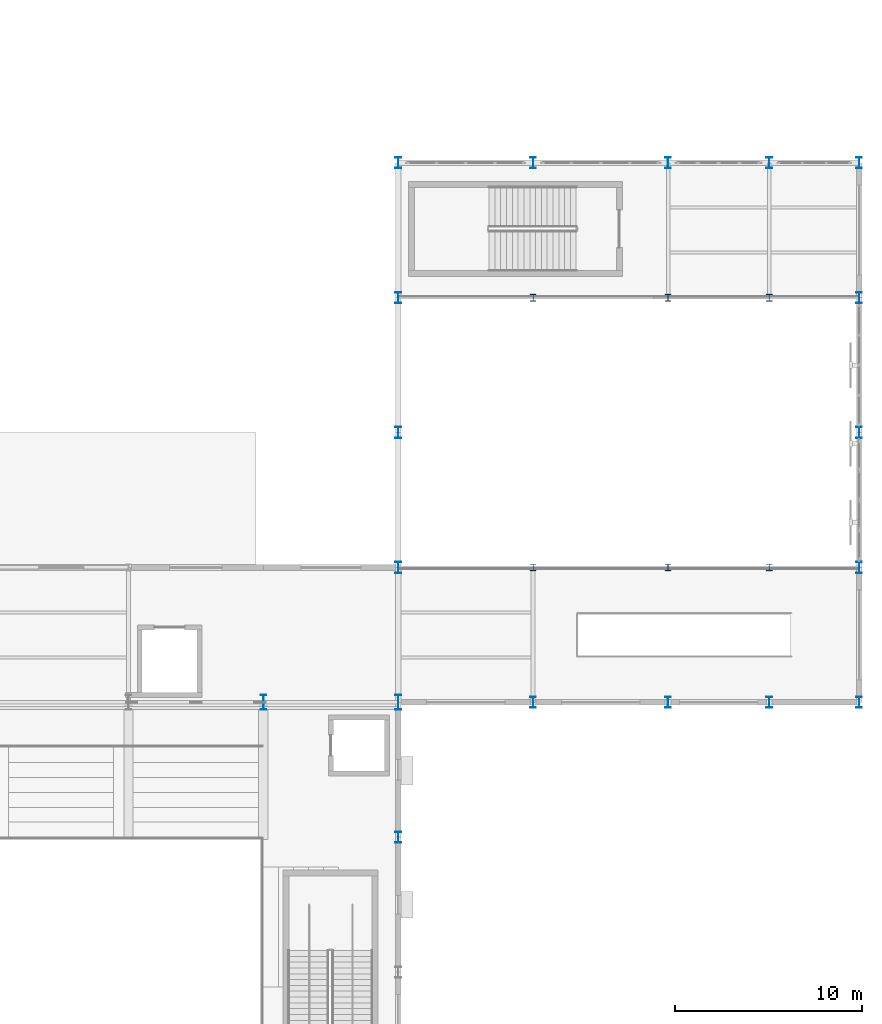
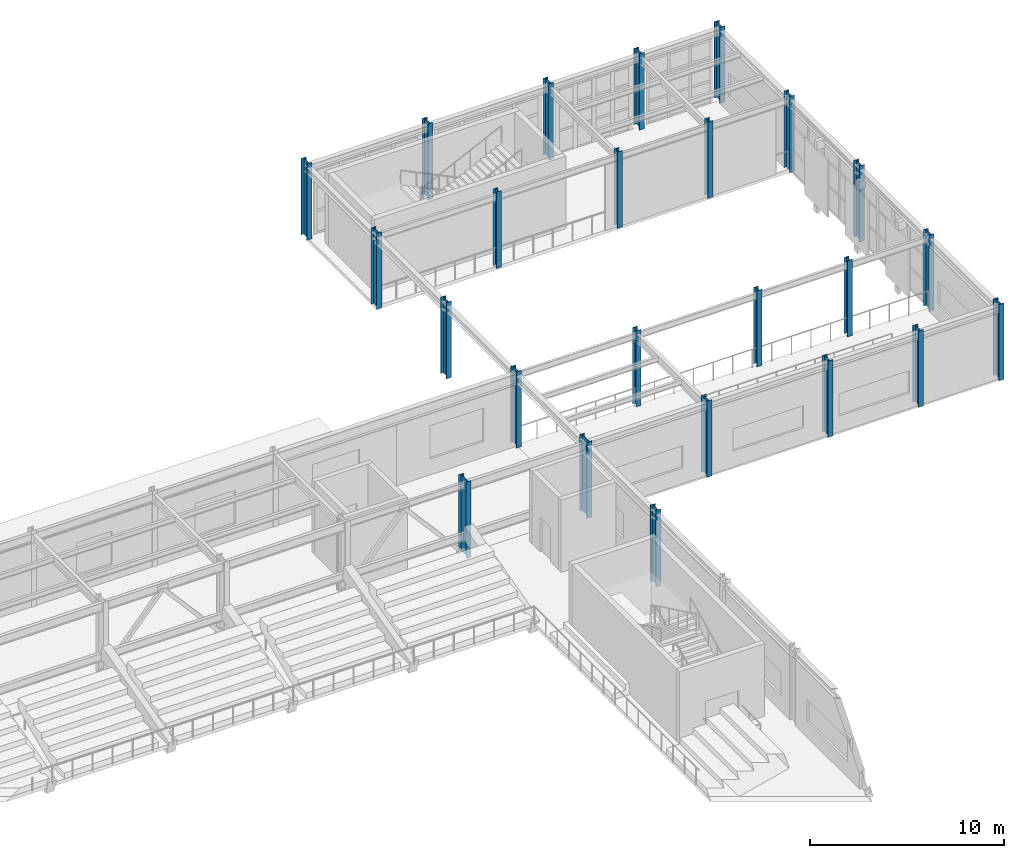
# One storey, part 15 of 121: 24 columns.
"""IFC4 building model written with IfcOpenShell, lengths in metres."""

from ifc_helpers import new_model, si_unit, direction, frame, origin, origin_2d, place, context, subcontext, project, spatial, i_section, extrude, material, material_profile, profile_set, type_object, element, save


model = new_model("IFC4")

# Units and contexts
model_context = context("Model", 3, precision=1e-05, world=origin(), true_north=direction((0.0, 1.0)))
body_context = subcontext(model_context, "Body", "Model", "MODEL_VIEW")
ifc_project = project(units=[si_unit("LENGTHUNIT", "METRE"), si_unit("AREAUNIT", "SQUARE_METRE"), si_unit("VOLUMEUNIT", "CUBIC_METRE"), si_unit("PLANEANGLEUNIT", "RADIAN"), si_unit("MASSUNIT", "GRAM", prefix="KILO")], contexts=[model_context])

# Site, building, storey
site_placement = place(None, origin())
site = spatial("IfcSite", under=ifc_project, at=site_placement, CompositionType="ELEMENT")
building_placement = place(site_placement, origin())
building = spatial("IfcBuilding", under=site, at=building_placement, Name="Solvadek Multi-Sports Hall", CompositionType="ELEMENT")
storey_placement = place(building_placement, frame((0.0, 0.0, 4.800048828125)))
storey = spatial("IfcBuildingStorey", under=building, at=storey_placement, Name="L01", CompositionType="ELEMENT", Elevation=4.800048828125)

# Columns
ifc_material = material(Name="Steel E350 (350 MPa)", Category="steel")
ifc_material_profile_1 = material_profile(ifc_material, i_section(OverallWidth=0.300048828125, OverallDepth=0.360107421875, WebThickness=0.012451171875, FlangeThickness=0.0224609375, at=origin_2d()), Name="WPB 360")
ifc_profile_set_1 = profile_set([ifc_material_profile_1], Name="Steel E350 (350 MPa)")
column_type_1 = type_object("IfcColumnType", Name="STR-COL-WPB360", PredefinedType="COLUMN", material=ifc_profile_set_1)
for number, where, z_axis, x_axis, name in (
    (1, (144.0, 49.199951171875, 0.0), (0.0, 0.0, 1.0), (1.0, 0.0, 0.0), "L01 Column C-08 #247"),
    (2, (144.0, 63.60009765625, 0.0), (0.0, 0.0, 1.0), (1.0, 0.0, 0.0), "L01 Column C-08 #249"),
    (3, (151.199951171875, 49.199951171875, 0.0), (0.0, 0.0, 1.0), (1.0, 0.0, 0.0), "L01 Column C-08 #252"),
    (4, (151.199951171875, 63.60009765625, 0.0), (0.0, 0.0, 1.0), (1.0, 0.0, 0.0), "L01 Column C-08 #254"),
    (5, (156.60009765625, 49.199951171875, 0.0), (0.0, 0.0, 1.0), (1.0, 0.0, 0.0), "L01 Column C-08 #257"),
    (6, (156.60009765625, 63.60009765625, 0.0), (0.0, 0.0, 1.0), (1.0, 0.0, 0.0), "L01 Column C-08 #259"),
):
    element("IfcColumn", number, at=place(storey_placement, frame(where, z_axis=z_axis, x_axis=x_axis)), inside=storey, type_object=column_type_1, Name=name, PredefinedType="COLUMN", context=body_context, shape_type="SweptSolid", body=[
        extrude(i_section(OverallWidth=0.300048828125, OverallDepth=0.360107421875, WebThickness=0.012451171875, FlangeThickness=0.0224609375, at=origin_2d()), origin(), (0.0, 0.0, 1.0), 4.800048828125),
    ])
ifc_material_profile_2 = material_profile(ifc_material, i_section(OverallWidth=0.300048828125, OverallDepth=0.60009765625, WebThickness=0.015380859375, FlangeThickness=0.030029296875, at=origin_2d()), Name="WPB 600")
ifc_profile_set_2 = profile_set([ifc_material_profile_2], Name="Steel E350 (350 MPa)")
column_type_2 = type_object("IfcColumnType", Name="STR-COL-WPB600", PredefinedType="COLUMN", material=ifc_profile_set_2)
for number, where, z_axis, x_axis, name in (
    (7, (136.800048828125, 34.800048828125, 0.0), (0.0, 0.0, 1.0), (1.0, 0.0, 0.0), "L01 Column C-03 #240"),
    (8, (136.800048828125, 49.199951171875, 0.0), (0.0, 0.0, 1.0), (1.0, 0.0, 0.0), "L01 Column C-03 #242"),
    (9, (136.800048828125, 56.39990234375, 0.0), (0.0, 0.0, 1.0), (1.0, 0.0, 0.0), "L01 Column C-03 #243"),
    (10, (136.800048828125, 63.60009765625, 0.0), (0.0, 0.0, 1.0), (1.0, 0.0, 0.0), "L01 Column C-03 #244"),
    (11, (136.800048828125, 70.800048828125, 0.0), (0.0, 0.0, 1.0), (1.0, 0.0, 0.0), "L01 Column C-03 #245"),
    (12, (144.0, 42.0, 0.0), (0.0, 0.0, 1.0), (1.0, 0.0, 0.0), "L01 Column C-03 #246"),
    (13, (144.0, 70.800048828125, 0.0), (0.0, 0.0, 1.0), (1.0, 0.0, 0.0), "L01 Column C-03 #250"),
    (14, (151.199951171875, 42.0, 0.0), (0.0, 0.0, 1.0), (1.0, 0.0, 0.0), "L01 Column C-03 #251"),
    (15, (151.199951171875, 70.800048828125, 0.0), (0.0, 0.0, 1.0), (1.0, 0.0, 0.0), "L01 Column C-03 #255"),
    (16, (156.60009765625, 42.0, 0.0), (0.0, 0.0, 1.0), (1.0, 0.0, 0.0), "L01 Column C-03 #256"),
    (17, (156.60009765625, 70.800048828125, 0.0), (0.0, 0.0, 1.0), (1.0, 0.0, 0.0), "L01 Column C-03 #260"),
    (18, (161.39990234375, 42.0, 0.0), (0.0, 0.0, 1.0), (1.0, 0.0, 0.0), "L01 Column C-03 #261"),
    (19, (161.39990234375, 49.199951171875, 0.0), (0.0, 0.0, 1.0), (1.0, 0.0, 0.0), "L01 Column C-03 #262"),
    (20, (161.39990234375, 56.39990234375, 0.0), (0.0, 0.0, 1.0), (1.0, 0.0, 0.0), "L01 Column C-03 #263"),
    (21, (161.39990234375, 63.60009765625, 0.0), (0.0, 0.0, 1.0), (1.0, 0.0, 0.0), "L01 Column C-03 #264"),
    (22, (161.39990234375, 70.800048828125, 0.0), (0.0, 0.0, 1.0), (1.0, 0.0, 0.0), "L01 Column C-03 #265"),
):
    element("IfcColumn", number, at=place(storey_placement, frame(where, z_axis=z_axis, x_axis=x_axis)), inside=storey, type_object=column_type_2, Name=name, PredefinedType="COLUMN", context=body_context, shape_type="SweptSolid", body=[
        extrude(i_section(OverallWidth=0.300048828125, OverallDepth=0.60009765625, WebThickness=0.015380859375, FlangeThickness=0.030029296875, at=origin_2d()), origin(), (0.0, 0.0, 1.0), 4.800048828125),
    ])
ifc_material_profile_3 = material_profile(ifc_material, i_section(OverallWidth=0.300048828125, OverallDepth=0.800048828125, WebThickness=0.017578125, FlangeThickness=0.032958984375, at=origin_2d()), Name="WPB 800")
ifc_profile_set_3 = profile_set([ifc_material_profile_3], Name="Steel E350 (350 MPa)")
column_type_3 = type_object("IfcColumnType", Name="STR-COL-WPB800", PredefinedType="COLUMN", material=ifc_profile_set_3)
for number, where, z_axis, x_axis, name in (
    (23, (129.60009765625, 42.0, 0.0), (0.0, 0.0, 1.0), (1.0, 0.0, 0.0), "L01 Column C-01 #235"),
    (24, (136.800048828125, 42.0, 0.0), (0.0, 0.0, 1.0), (1.0, 0.0, 0.0), "L01 Column C-01 #241"),
):
    element("IfcColumn", number, at=place(storey_placement, frame(where, z_axis=z_axis, x_axis=x_axis)), inside=storey, type_object=column_type_3, Name=name, PredefinedType="COLUMN", context=body_context, shape_type="SweptSolid", body=[
        extrude(i_section(OverallWidth=0.300048828125, OverallDepth=0.800048828125, WebThickness=0.017578125, FlangeThickness=0.032958984375, at=origin_2d()), origin(), (0.0, 0.0, 1.0), 4.800048828125),
    ])

save(model, "model.ifc")
